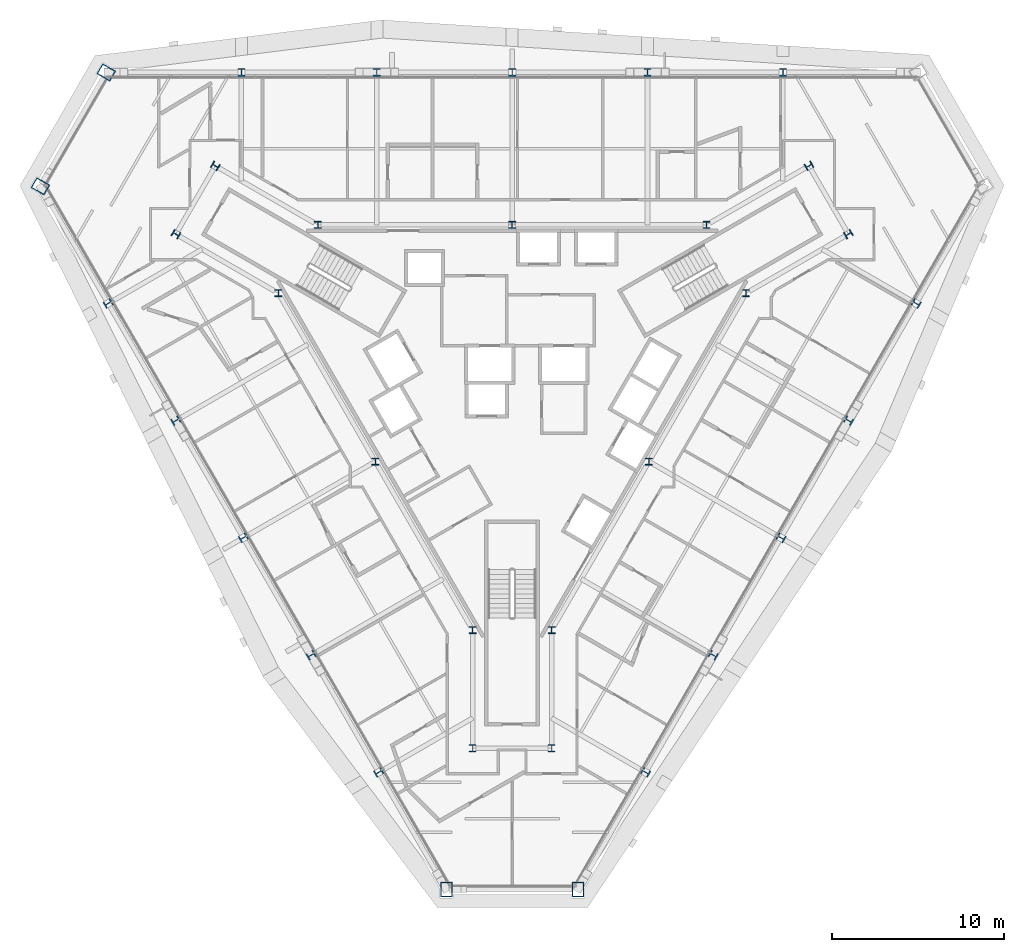
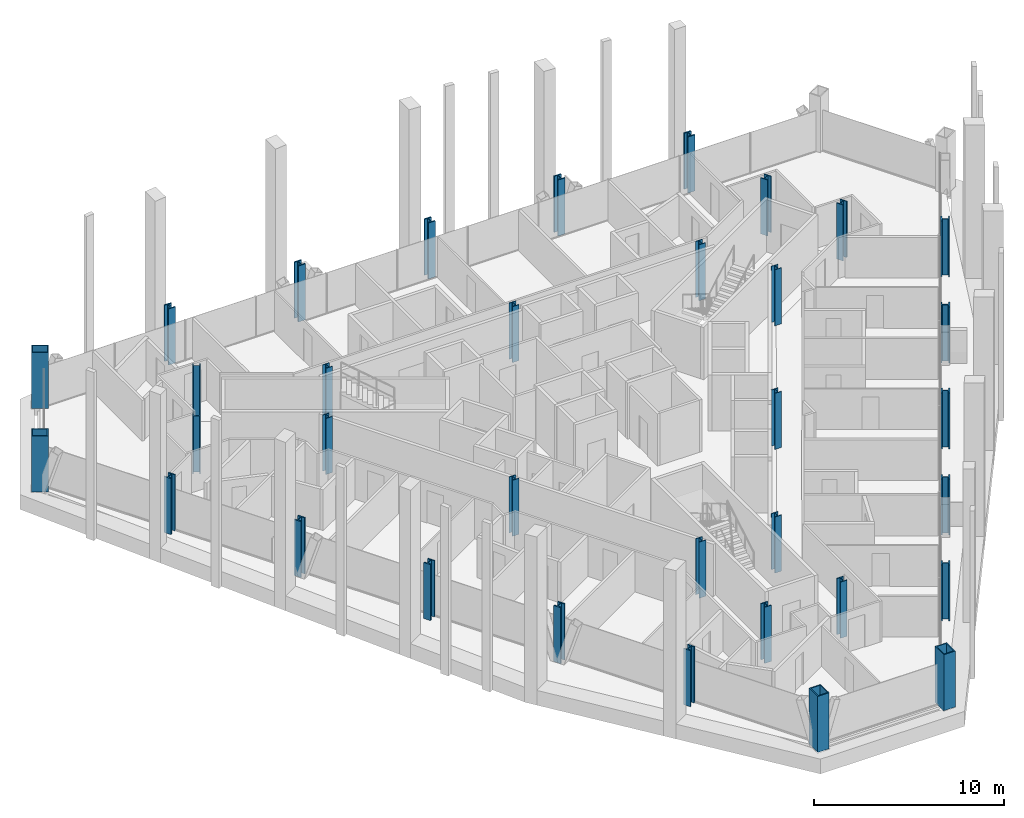
# One storey, part 1 of 17: 34 columns.
"""IFC4 building model written with IfcOpenShell, lengths in metres."""

from ifc_helpers import new_model, si_unit, direction, frame, origin, origin_2d, place, context, subcontext, project, spatial, hollow_rectangle, i_section, extrude, material, material_profile, profile_set, type_object, element, save


model = new_model("IFC4")

# Units and contexts
model_context = context("Model", 3, precision=1e-05, world=origin(), true_north=direction((0.0, 1.0)))
body_context = subcontext(model_context, "Body", "Model", "MODEL_VIEW")
ifc_project = project(units=[si_unit("LENGTHUNIT", "METRE"), si_unit("AREAUNIT", "SQUARE_METRE"), si_unit("VOLUMEUNIT", "CUBIC_METRE"), si_unit("PLANEANGLEUNIT", "RADIAN"), si_unit("MASSUNIT", "GRAM", prefix="KILO")], contexts=[model_context])

# Site, building, storey
site_placement = place(None, origin())
site = spatial("IfcSite", under=ifc_project, at=site_placement, CompositionType="ELEMENT")
building_placement = place(site_placement, origin())
building = spatial("IfcBuilding", under=site, at=building_placement, Name="Verrane Prism Tower", CompositionType="ELEMENT")
storey_placement = place(building_placement, frame((0.0, 0.0, 92.800048828125)))
storey = spatial("IfcBuildingStorey", under=building, at=storey_placement, Name="L21", CompositionType="ELEMENT", Elevation=92.800048828125)

# Columns
ifc_material_1 = material(Name="Steel A992", Category="steel")
ifc_material_profile_1 = material_profile(ifc_material_1, i_section(OverallWidth=0.411376953125, OverallDepth=0.434326171875, WebThickness=0.035888671875, FlangeThickness=0.057373046875, FilletRadius=0.01513671875, at=origin_2d()), Name="W14x311")
ifc_profile_set_1 = profile_set([ifc_material_profile_1], Name="Steel A992")
column_type_1 = type_object("IfcColumnType", Name="Core corner column W14x311", PredefinedType="COLUMN", material=ifc_profile_set_1)
for number, where, z_axis, x_axis, name in (
    (1, (19.60009765625, 8.659912109375, 0.0), (0.0, 0.0, 1.0), (0.5, -0.866025403784, 0.0), "Core corner column CK-NEm L21"),
    (2, (17.300048828125, 12.639892578125, 0.0), (0.0, 0.0, 1.0), (0.5, -0.866025403784, 0.0), "Core corner column CK-NEp L21"),
    (3, (-17.300048828125, 12.639892578125, 0.0), (0.0, 0.0, 1.0), (0.5, 0.866025403784, 0.0), "Core corner column CK-NWm L21"),
    (4, (-19.60009765625, 8.659912109375, 0.0), (0.0, 0.0, 1.0), (0.5, 0.866025403784, 0.0), "Core corner column CK-NWp L21"),
    (5, (-2.300048828125, -21.300048828125, 0.0), (0.0, 0.0, 1.0), (-1.0, 0.0, 0.0), "Core corner column CK-Sm L21"),
    (6, (2.300048828125, -21.300048828125, 0.0), (0.0, 0.0, 1.0), (-1.0, 0.0, 0.0), "Core corner column CK-Sp L21"),
):
    element("IfcColumn", number, at=place(storey_placement, frame(where, z_axis=z_axis, x_axis=x_axis)), inside=storey, type_object=column_type_1, Name=name, PredefinedType="COLUMN", context=body_context, shape_type="SweptSolid", body=[
        extrude(i_section(OverallWidth=0.411376953125, OverallDepth=0.434326171875, WebThickness=0.035888671875, FlangeThickness=0.057373046875, FilletRadius=0.01513671875, at=origin_2d()), origin(), (0.0, 0.0, 1.0), 3.599853515625),
    ])
ifc_material_2 = material(Name="Steel A992", Category="steel")
ifc_material_profile_2 = material_profile(ifc_material_2, i_section(OverallWidth=0.4013671875, OverallDepth=0.398681640625, WebThickness=0.02490234375, FlangeThickness=0.03955078125, FilletRadius=0.01513671875, at=origin_2d()), Name="W14x211")
ifc_profile_set_2 = profile_set([ifc_material_profile_2], Name="Steel A992")
column_type_2 = type_object("IfcColumnType", Name="Core side column W14x211", PredefinedType="COLUMN", material=ifc_profile_set_2)
for number, where, z_axis, x_axis, name in (
    (7, (13.6298828125, 5.219970703125, 0.0), (0.0, 0.0, 1.0), (1.0, 0.0, 0.0), "Core side column CC-NEm L21"),
    (8, (11.330078125, 9.199951171875, 0.0), (0.0, 0.0, 1.0), (1.0, 0.0, 0.0), "Core side column CC-NEp L21"),
    (9, (0.0, 9.199951171875, 0.0), (0.0, 0.0, 1.0), (1.0, 0.0, 0.0), "Core side column CC-N0 L21"),
    (10, (-11.330078125, 9.199951171875, 0.0), (0.0, 0.0, 1.0), (1.0, 0.0, 0.0), "Core side column CC-NWm L21"),
    (11, (-13.6298828125, 5.219970703125, 0.0), (0.0, 0.0, 1.0), (1.0, 0.0, 0.0), "Core side column CC-NWp L21"),
    (12, (-7.969970703125, -4.60009765625, 0.0), (0.0, 0.0, 1.0), (1.0, 0.0, 0.0), "Core side column CC-SW0 L21"),
    (13, (-2.300048828125, -14.419921875, 0.0), (0.0, 0.0, 1.0), (1.0, 0.0, 0.0), "Core side column CC-Sm L21"),
    (14, (2.300048828125, -14.419921875, 0.0), (0.0, 0.0, 1.0), (1.0, 0.0, 0.0), "Core side column CC-Sp L21"),
    (15, (7.969970703125, -4.60009765625, 0.0), (0.0, 0.0, 1.0), (1.0, 0.0, 0.0), "Core side column CC-SE0 L21"),
):
    element("IfcColumn", number, at=place(storey_placement, frame(where, z_axis=z_axis, x_axis=x_axis)), inside=storey, type_object=column_type_2, Name=name, PredefinedType="COLUMN", context=body_context, shape_type="SweptSolid", body=[
        extrude(i_section(OverallWidth=0.4013671875, OverallDepth=0.398681640625, WebThickness=0.02490234375, FlangeThickness=0.03955078125, FilletRadius=0.01513671875, at=origin_2d()), origin(), (0.0, 0.0, 1.0), 3.599853515625),
    ])
ifc_material_3 = material(Name="Steel A572 Grade 50", Category="steel")
ifc_material_profile_3 = material_profile(ifc_material_3, hollow_rectangle(XDim=0.699951171875, YDim=0.89990234375, WallThickness=0.06494140625, at=origin_2d()), Name="BOX 900x700x65")
ifc_profile_set_3 = profile_set([ifc_material_profile_3], Name="Steel A572 Grade 50")
column_type_3 = type_object("IfcColumnType", Name="Megacolumn BOX 900x700x65", PredefinedType="COLUMN", material=ifc_profile_set_3)
for number, where, z_axis, x_axis, name in (
    (16, (-23.659912109375, 18.090087890625, 0.0), (0.0, 0.0, 1.0), (0.5, 0.866025403784, 0.0), "Megacolumn MC-NW.a L21"),
    (17, (-27.5, 11.449951171875, 0.0), (0.0, 0.0, 1.0), (0.5, 0.866025403784, 0.0), "Megacolumn MC-NW.b L21"),
    (18, (-3.830078125, -29.5400390625, 0.0), (0.0, 0.0, 1.0), (-1.0, 0.0, 0.0), "Megacolumn MC-S.a L21"),
    (19, (3.830078125, -29.5400390625, 0.0), (0.0, 0.0, 1.0), (-1.0, 0.0, 0.0), "Megacolumn MC-S.b L21"),
):
    element("IfcColumn", number, at=place(storey_placement, frame(where, z_axis=z_axis, x_axis=x_axis)), inside=storey, type_object=column_type_3, Name=name, PredefinedType="COLUMN", context=body_context, shape_type="SweptSolid", body=[
        extrude(hollow_rectangle(XDim=0.699951171875, YDim=0.89990234375, WallThickness=0.06494140625, at=origin_2d()), origin(), (0.0, 0.0, 1.0), 3.599853515625),
    ])
ifc_material_4 = material(Name="Steel A992", Category="steel")
ifc_material_profile_4 = material_profile(ifc_material_4, i_section(OverallWidth=0.424072265625, OverallDepth=0.47509765625, WebThickness=0.0478515625, FlangeThickness=0.0771484375, FilletRadius=0.014892578125, at=origin_2d()), Name="W14x426")
ifc_profile_set_4 = profile_set([ifc_material_profile_4], Name="Steel A992")
column_type_4 = type_object("IfcColumnType", Name="Perimeter column W14x426", PredefinedType="COLUMN", material=ifc_profile_set_4)
for number, where, z_axis, x_axis, name in (
    (20, (15.780029296875, 18.090087890625, 0.0), (0.0, 0.0, 1.0), (1.0, 0.0, 0.0), "Perimeter column PC-N1 L21"),
    (21, (7.889892578125, 18.090087890625, 0.0), (0.0, 0.0, 1.0), (1.0, 0.0, 0.0), "Perimeter column PC-N2 L21"),
    (22, (0.0, 18.090087890625, 0.0), (0.0, 0.0, 1.0), (1.0, 0.0, 0.0), "Perimeter column PC-N3 L21"),
    (23, (-7.889892578125, 18.090087890625, 0.0), (0.0, 0.0, 1.0), (1.0, 0.0, 0.0), "Perimeter column PC-N4 L21"),
    (24, (-15.780029296875, 18.090087890625, 0.0), (0.0, 0.0, 1.0), (1.0, 0.0, 0.0), "Perimeter column PC-N5 L21"),
    (25, (-23.550048828125, 4.6201171875, 0.0), (0.0, 0.0, 1.0), (-0.5, 0.866025403784, 0.0), "Perimeter column PC-SW1 L21"),
    (26, (-19.610107421875, -2.2099609375, 0.0), (0.0, 0.0, 1.0), (-0.5, 0.866025403784, 0.0), "Perimeter column PC-SW2 L21"),
    (27, (-15.669921875, -9.0400390625, 0.0), (0.0, 0.0, 1.0), (-0.5, 0.866025403784, 0.0), "Perimeter column PC-SW3 L21"),
    (28, (-11.719970703125, -15.8798828125, 0.0), (0.0, 0.0, 1.0), (-0.5, 0.866025403784, 0.0), "Perimeter column PC-SW4 L21"),
    (29, (-7.780029296875, -22.7099609375, 0.0), (0.0, 0.0, 1.0), (-0.5, 0.866025403784, 0.0), "Perimeter column PC-SW5 L21"),
    (30, (7.780029296875, -22.7099609375, 0.0), (0.0, 0.0, 1.0), (-0.5, -0.866025403784, 0.0), "Perimeter column PC-SE1 L21"),
    (31, (11.719970703125, -15.8798828125, 0.0), (0.0, 0.0, 1.0), (-0.5, -0.866025403784, 0.0), "Perimeter column PC-SE2 L21"),
    (32, (15.669921875, -9.0400390625, 0.0), (0.0, 0.0, 1.0), (-0.5, -0.866025403784, 0.0), "Perimeter column PC-SE3 L21"),
    (33, (19.610107421875, -2.2099609375, 0.0), (0.0, 0.0, 1.0), (-0.5, -0.866025403784, 0.0), "Perimeter column PC-SE4 L21"),
    (34, (23.550048828125, 4.6201171875, 0.0), (0.0, 0.0, 1.0), (-0.5, -0.866025403784, 0.0), "Perimeter column PC-SE5 L21"),
):
    element("IfcColumn", number, at=place(storey_placement, frame(where, z_axis=z_axis, x_axis=x_axis)), inside=storey, type_object=column_type_4, Name=name, PredefinedType="COLUMN", context=body_context, shape_type="SweptSolid", body=[
        extrude(i_section(OverallWidth=0.424072265625, OverallDepth=0.47509765625, WebThickness=0.0478515625, FlangeThickness=0.0771484375, FilletRadius=0.014892578125, at=origin_2d()), origin(), (0.0, 0.0, 1.0), 3.599853515625),
    ])

save(model, "model.ifc")
